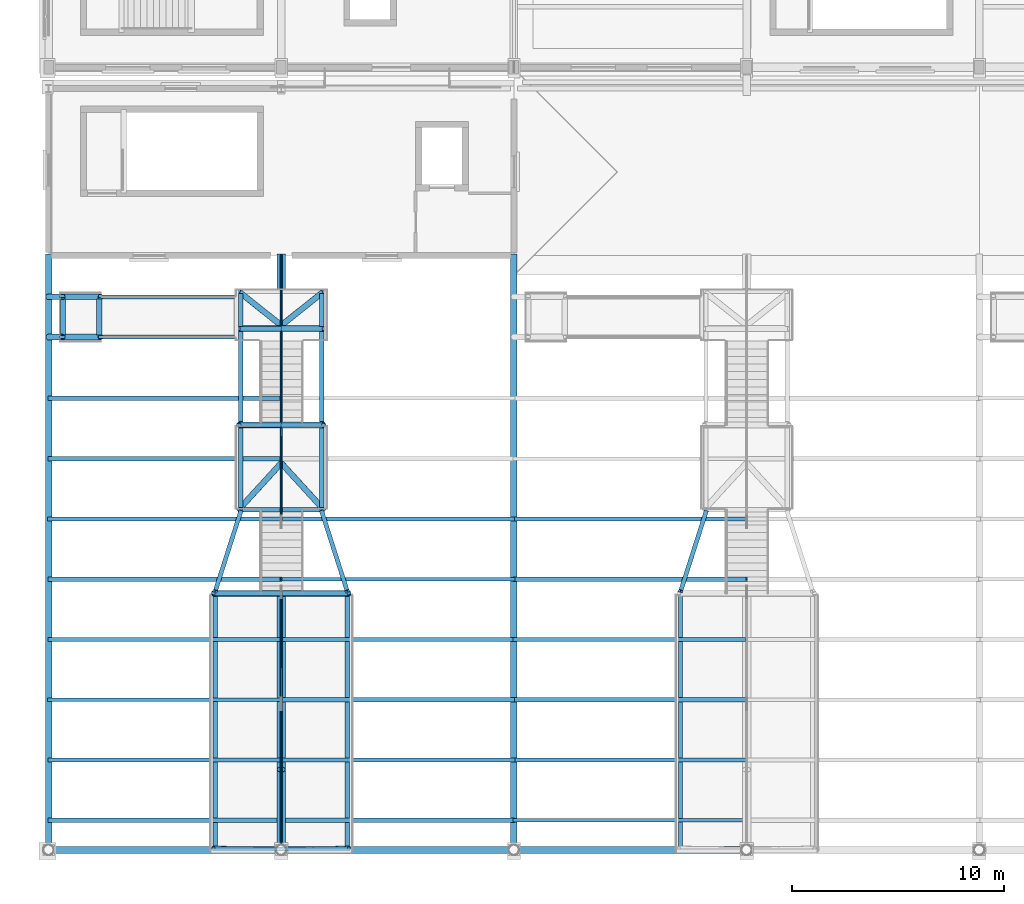
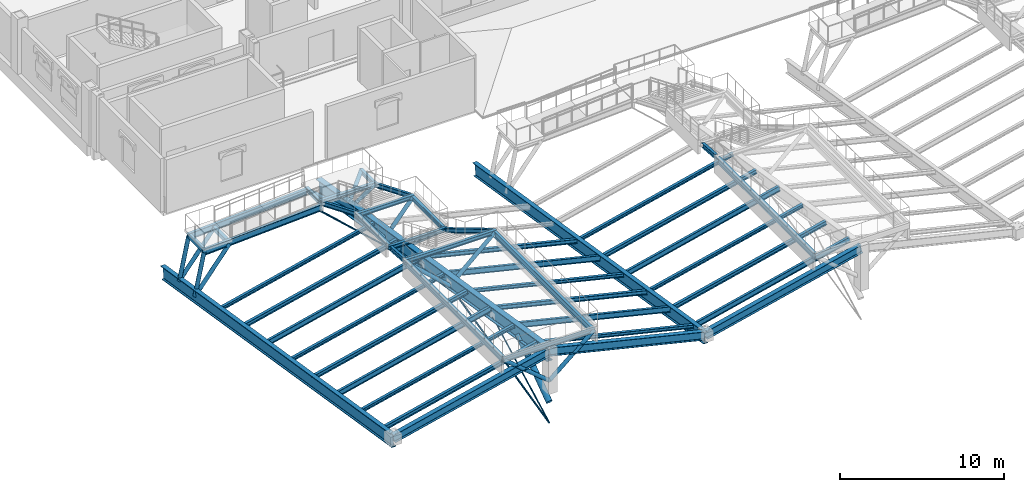
# One storey, part 9 of 43: 40 members, 27 beams.
"""IFC4 building model written with IfcOpenShell, lengths in metres."""

from ifc_helpers import new_model, si_unit, direction, frame, origin, origin_2d, place, context, subcontext, project, spatial, rectangle, circle, hollow_circle, i_section, extrude, material, material_profile, profile_set, type_object, element, save


model = new_model("IFC4")

# Units and contexts
model_context = context("Model", 3, precision=1e-05, world=origin(), true_north=direction((0.0, 1.0)))
body_context = subcontext(model_context, "Body", "Model", "MODEL_VIEW")
ifc_project = project(units=[si_unit("LENGTHUNIT", "METRE"), si_unit("AREAUNIT", "SQUARE_METRE"), si_unit("VOLUMEUNIT", "CUBIC_METRE"), si_unit("PLANEANGLEUNIT", "RADIAN"), si_unit("MASSUNIT", "GRAM", prefix="KILO")], contexts=[model_context])

# Site, building, storey
site_placement = place(None, origin())
site = spatial("IfcSite", under=ifc_project, at=site_placement, CompositionType="ELEMENT")
building_placement = place(site_placement, origin())
building = spatial("IfcBuilding", under=site, at=building_placement, Name="Caurita Quay Ferry Terminal", CompositionType="ELEMENT")
storey_placement = place(building_placement, frame((0.0, 0.0, 14.10009765625)))
storey = spatial("IfcBuildingStorey", under=building, at=storey_placement, Name="L03", CompositionType="ELEMENT", Elevation=14.10009765625)

# Beams
ifc_material_1 = material(Name="Structural steel ASTM A992 Gr. 50", Category="steel")
ifc_material_profile_1 = material_profile(ifc_material_1, i_section(OverallWidth=0.193115234375, OverallDepth=0.46728515625, WebThickness=0.011474609375, FlangeThickness=0.01904296875, FilletRadius=0.0126953125, at=origin_2d()), Name="W18X65")
ifc_profile_set_1 = profile_set([ifc_material_profile_1], Name="Structural steel ASTM A992 Gr. 50")
beam_type_1 = type_object("IfcBeamType", Name="BM-GR-W18A", PredefinedType="BEAM", material=ifc_profile_set_1)
for number, where, z_axis, x_axis, name in (
    (1, (7.8798828125, 46.627685546875, 3.26611328125), (0.0, -1.0, 0.0), (1.0, 0.0, 0.0), "Folded Roof Bay 1 Lookout Edge Beam 09"),
    (2, (14.1201171875, 46.627685546875, 3.26611328125), (0.0, -1.0, 0.0), (1.0, 0.0, 0.0), "Folded Roof Bay 1 Lookout Edge Beam 10"),
):
    element("IfcBeam", number, at=place(storey_placement, frame(where, z_axis=z_axis, x_axis=x_axis)), inside=storey, type_object=beam_type_1, Name=name, PredefinedType="BEAM", context=body_context, shape_type="SweptSolid", body=[
        extrude(i_section(OverallWidth=0.193115234375, OverallDepth=0.46728515625, WebThickness=0.011474609375, FlangeThickness=0.01904296875, FilletRadius=0.0126953125, at=origin_2d()), origin(), (0.0, 0.0, 1.0), 11.87548828125),
    ])
for number, where, z_axis, x_axis, name in (
    (3, (0.550048828125, 58.85009765625, -0.78369140625), (0.998577828833, 0.0, 0.053313410734), (0.0, 1.0, 0.0), "Folded Roof Bay 1 Ramp Underside Stringer S"),
    (4, (0.550048828125, 60.75, -0.78369140625), (0.998577828833, 0.0, 0.053313410734), (0.0, 1.0, 0.0), "Folded Roof Bay 1 Ramp Underside Stringer N"),
):
    element("IfcBeam", number, at=place(storey_placement, frame(where, z_axis=z_axis, x_axis=x_axis)), inside=storey, type_object=beam_type_1, Name=name, PredefinedType="BEAM", context=body_context, shape_type="SweptSolid", body=[
        extrude(i_section(OverallWidth=0.193115234375, OverallDepth=0.46728515625, WebThickness=0.011474609375, FlangeThickness=0.01904296875, FilletRadius=0.0126953125, at=origin_2d()), origin(), (0.0, 0.0, 1.0), 8.439697265625),
    ])
beam_1_placement = place(storey_placement, frame((29.8798828125, 46.627685546875, 3.26611328125), z_axis=(0.0, -1.0, 0.0), x_axis=(1.0, 0.0, 0.0)))
element("IfcBeam", 5, at=beam_1_placement, inside=storey, type_object=beam_type_1, Name="Folded Roof Bay 2 Lookout Edge Beam 09", PredefinedType="BEAM", context=body_context, shape_type="SweptSolid", body=[
    extrude(i_section(OverallWidth=0.193115234375, OverallDepth=0.46728515625, WebThickness=0.011474609375, FlangeThickness=0.01904296875, FilletRadius=0.0126953125, at=origin_2d()), origin(), (0.0, 0.0, 1.0), 11.87548828125),
])
ifc_material_profile_2 = material_profile(ifc_material_1, i_section(OverallWidth=0.3251953125, OverallDepth=0.612060546875, WebThickness=0.0126953125, FlangeThickness=0.01904296875, FilletRadius=0.01513671875, at=origin_2d()), Name="W24X104")
ifc_profile_set_2 = profile_set([ifc_material_profile_2], Name="Structural steel ASTM A992 Gr. 50")
beam_type_2 = type_object("IfcBeamType", Name="BM-GR-W24A", PredefinedType="BEAM", material=ifc_profile_set_2)
for number, where, z_axis, x_axis, name in (
    (6, (0.0, 34.60009765625, 0.265869140625), (0.972384559308, 0.0, 0.23338437998), (0.0, 1.0, 0.0), "Folded Roof Gable Ring Girder V1-S-0"),
    (7, (11.0, 34.60009765625, 2.906005859375), (0.972384559308, 0.0, -0.23338437998), (0.0, 1.0, 0.0), "Folded Roof Gable Ring Girder V1-S-11"),
    (8, (22.0, 34.60009765625, 0.265869140625), (0.972384559308, 0.0, 0.23338437998), (0.0, 1.0, 0.0), "Folded Roof Gable Ring Girder V1-S-22"),
):
    element("IfcBeam", number, at=place(storey_placement, frame(where, z_axis=z_axis, x_axis=x_axis)), inside=storey, type_object=beam_type_2, Name=name, PredefinedType="BEAM", context=body_context, shape_type="SweptSolid", body=[
        extrude(i_section(OverallWidth=0.3251953125, OverallDepth=0.612060546875, WebThickness=0.0126953125, FlangeThickness=0.01904296875, FilletRadius=0.01513671875, at=origin_2d()), origin(), (0.0, 0.0, 1.0), 11.3125),
    ])
ifc_material_profile_3 = material_profile(ifc_material_1, i_section(OverallWidth=0.310302734375, OverallDepth=0.949951171875, WebThickness=0.0244140625, FlangeThickness=0.0439453125, FilletRadius=0.024169921875, at=origin_2d()), Name="W36X256")
ifc_profile_set_3 = profile_set([ifc_material_profile_3], Name="Structural steel ASTM A992 Gr. 50")
beam_type_3 = type_object("IfcBeamType", Name="BM-RF-W36A", PredefinedType="BEAM", material=ifc_profile_set_3)
beam_2_placement = place(storey_placement, frame((0.0, 62.699951171875, -4.39599609375), z_axis=(0.0, -0.98744132788, 0.157986151272), x_axis=(1.0, 0.0, 0.0)))
element("IfcBeam", 9, at=beam_2_placement, inside=storey, type_object=beam_type_3, Name="Folded Roof Valley Girder V1-01", PredefinedType="BEAM", context=body_context, shape_type="SweptSolid", body=[
    extrude(i_section(OverallWidth=0.310302734375, OverallDepth=0.949951171875, WebThickness=0.0244140625, FlangeThickness=0.0439453125, FilletRadius=0.024169921875, at=origin_2d()), origin(), (0.0, 0.0, 1.0), 28.457275390625),
])
ifc_material_profile_4 = material_profile(ifc_material_1, i_section(OverallWidth=0.309326171875, OverallDepth=0.93212890625, WebThickness=0.02099609375, FlangeThickness=0.034423828125, FilletRadius=0.024169921875, at=origin_2d()), Name="W36X210")
ifc_profile_set_4 = profile_set([ifc_material_profile_4], Name="Structural steel ASTM A992 Gr. 50")
beam_type_4 = type_object("IfcBeamType", Name="BM-RF-W36B", PredefinedType="BEAM", material=ifc_profile_set_4)
beam_3_placement = place(storey_placement, frame((22.0, 62.699951171875, -4.38720703125), z_axis=(0.0, -0.987439989472, 0.157994516331), x_axis=(1.0, 0.0, 0.0)))
element("IfcBeam", 10, at=beam_3_placement, inside=storey, type_object=beam_type_4, Name="Folded Roof Valley Girder V1-03", PredefinedType="BEAM", context=body_context, shape_type="SweptSolid", body=[
    extrude(i_section(OverallWidth=0.309326171875, OverallDepth=0.93212890625, WebThickness=0.02099609375, FlangeThickness=0.034423828125, FilletRadius=0.024169921875, at=origin_2d()), origin(), (0.0, 0.0, 1.0), 28.457275390625),
])
ifc_material_profile_5 = material_profile(ifc_material_1, i_section(OverallWidth=0.40380859375, OverallDepth=1.02099609375, WebThickness=0.025390625, FlangeThickness=0.047119140625, FilletRadius=0.025390625, at=origin_2d()), Name="W40X324")
ifc_profile_set_5 = profile_set([ifc_material_profile_5], Name="Structural steel ASTM A992 Gr. 50")
beam_type_5 = type_object("IfcBeamType", Name="BM-RF-W40A", PredefinedType="BEAM", material=ifc_profile_set_5)
beam_4_placement = place(storey_placement, frame((11.0, 62.699951171875, -1.7919921875), z_axis=(0.0, -0.98744132788, 0.157986151272), x_axis=(1.0, 0.0, 0.0)))
element("IfcBeam", 11, at=beam_4_placement, inside=storey, type_object=beam_type_5, Name="Folded Roof Ridge Girder V1-02", PredefinedType="BEAM", context=body_context, shape_type="SweptSolid", body=[
    extrude(i_section(OverallWidth=0.40380859375, OverallDepth=1.02099609375, WebThickness=0.025390625, FlangeThickness=0.047119140625, FilletRadius=0.025390625, at=origin_2d()), origin(), (0.0, 0.0, 1.0), 28.457275390625),
])
ifc_material_profile_6 = material_profile(ifc_material_1, i_section(OverallWidth=0.20458984375, OverallDepth=0.307373046875, WebThickness=0.008544921875, FlangeThickness=0.0146484375, FilletRadius=0.0126953125, at=origin_2d()), Name="W12X45")
ifc_profile_set_6 = profile_set([ifc_material_profile_6], Name="Structural steel ASTM A992 Gr. 50")
beam_type_6 = type_object("IfcBeamType", Name="BM-TRM-W12", PredefinedType="BEAM", material=ifc_profile_set_6)
for number, where, z_axis, x_axis, name in (
    (12, (8.949951171875, 59.25, -0.25390625), (1.0, 0.0, 0.0), (0.0, 1.0, 0.0), "Folded Roof Bay 1 Stair Trimmer Beam 2"),
    (13, (8.949951171875, 54.68994140625, 1.546142578125), (1.0, 0.0, 0.0), (0.0, 1.0, 0.0), "Folded Roof Bay 1 Stair Trimmer Beam 3"),
    (14, (8.949951171875, 50.68994140625, 1.546142578125), (1.0, 0.0, 0.0), (0.0, 1.0, 0.0), "Folded Roof Bay 1 Stair Trimmer Beam 4"),
):
    element("IfcBeam", number, at=place(storey_placement, frame(where, z_axis=z_axis, x_axis=x_axis)), inside=storey, type_object=beam_type_6, Name=name, PredefinedType="BEAM", context=body_context, shape_type="SweptSolid", body=[
        extrude(i_section(OverallWidth=0.20458984375, OverallDepth=0.307373046875, WebThickness=0.008544921875, FlangeThickness=0.0146484375, FilletRadius=0.0126953125, at=origin_2d()), origin(), (0.0, 0.0, 1.0), 4.10009765625),
    ])
for number, where, z_axis, x_axis, name in (
    (15, (7.75, 46.72998046875, 3.34619140625), (1.0, 0.0, 0.0), (0.0, 1.0, 0.0), "Folded Roof Bay 1 Stair Trimmer Beam 5"),
    (16, (7.75, 34.64990234375, 3.34619140625), (1.0, 0.0, 0.0), (0.0, 1.0, 0.0), "Folded Roof Bay 1 Stair Trimmer Beam 6"),
):
    element("IfcBeam", number, at=place(storey_placement, frame(where, z_axis=z_axis, x_axis=x_axis)), inside=storey, type_object=beam_type_6, Name=name, PredefinedType="BEAM", context=body_context, shape_type="SweptSolid", body=[
        extrude(i_section(OverallWidth=0.20458984375, OverallDepth=0.307373046875, WebThickness=0.008544921875, FlangeThickness=0.0146484375, FilletRadius=0.0126953125, at=origin_2d()), origin(), (0.0, 0.0, 1.0), 6.5),
    ])
for number, where, z_axis, x_axis, name in (
    (17, (9.080078125, 60.897705078125, -0.25390625), (0.0, -1.0, 0.0), (1.0, 0.0, 0.0), "Folded Roof Bay 1 Lookout Edge Beam 01"),
    (18, (12.919921875, 60.897705078125, -0.25390625), (0.0, -1.0, 0.0), (1.0, 0.0, 0.0), "Folded Roof Bay 1 Lookout Edge Beam 02"),
):
    element("IfcBeam", number, at=place(storey_placement, frame(where, z_axis=z_axis, x_axis=x_axis)), inside=storey, type_object=beam_type_6, Name=name, PredefinedType="BEAM", context=body_context, shape_type="SweptSolid", body=[
        extrude(i_section(OverallWidth=0.20458984375, OverallDepth=0.307373046875, WebThickness=0.008544921875, FlangeThickness=0.0146484375, FilletRadius=0.0126953125, at=origin_2d()), origin(), (0.0, 0.0, 1.0), 1.54541015625),
    ])
for number, where, z_axis, x_axis, name in (
    (19, (9.080078125, 59.147705078125, -0.25390625), (0.0, -0.924182728414, 0.381950630975), (1.0, 0.0, 0.0), "Folded Roof Bay 1 Lookout Edge Beam 03"),
    (20, (12.919921875, 59.147705078125, -0.25390625), (0.0, -0.924182728414, 0.381950630975), (1.0, 0.0, 0.0), "Folded Roof Bay 1 Lookout Edge Beam 04"),
):
    element("IfcBeam", number, at=place(storey_placement, frame(where, z_axis=z_axis, x_axis=x_axis)), inside=storey, type_object=beam_type_6, Name=name, PredefinedType="BEAM", context=body_context, shape_type="SweptSolid", body=[
        extrude(i_section(OverallWidth=0.20458984375, OverallDepth=0.307373046875, WebThickness=0.008544921875, FlangeThickness=0.0146484375, FilletRadius=0.0126953125, at=origin_2d()), origin(), (0.0, 0.0, 1.0), 4.712890625),
    ])
for number, where, z_axis, x_axis, name in (
    (21, (9.080078125, 54.587890625, 1.546142578125), (0.0, -1.0, 0.0), (1.0, 0.0, 0.0), "Folded Roof Bay 1 Lookout Edge Beam 05"),
    (22, (12.919921875, 54.587890625, 1.546142578125), (0.0, -1.0, 0.0), (1.0, 0.0, 0.0), "Folded Roof Bay 1 Lookout Edge Beam 06"),
):
    element("IfcBeam", number, at=place(storey_placement, frame(where, z_axis=z_axis, x_axis=x_axis)), inside=storey, type_object=beam_type_6, Name=name, PredefinedType="BEAM", context=body_context, shape_type="SweptSolid", body=[
        extrude(i_section(OverallWidth=0.20458984375, OverallDepth=0.307373046875, WebThickness=0.008544921875, FlangeThickness=0.0146484375, FilletRadius=0.0126953125, at=origin_2d()), origin(), (0.0, 0.0, 1.0), 3.795654296875),
    ])
for number, where, z_axis, x_axis, name in (
    (23, (9.080078125, 50.587890625, 1.546142578125), (-0.276912761175, -0.866507120658, 0.415312812885), (0.952541987839, -0.304407229553, 0.0), "Folded Roof Bay 1 Lookout Edge Beam 07"),
    (24, (12.919921875, 50.587890625, 1.546142578125), (0.276912761175, -0.866507120658, 0.415312812885), (0.952541987839, 0.304407229553, 0.0), "Folded Roof Bay 1 Lookout Edge Beam 08"),
    (25, (31.080078125, 50.587890625, 1.546142578125), (-0.276912761175, -0.866507120658, 0.415312812885), (0.952541987839, -0.304407229553, 0.0), "Folded Roof Bay 2 Lookout Edge Beam 07"),
):
    element("IfcBeam", number, at=place(storey_placement, frame(where, z_axis=z_axis, x_axis=x_axis)), inside=storey, type_object=beam_type_6, Name=name, PredefinedType="BEAM", context=body_context, shape_type="SweptSolid", body=[
        extrude(i_section(OverallWidth=0.20458984375, OverallDepth=0.307373046875, WebThickness=0.008544921875, FlangeThickness=0.0146484375, FilletRadius=0.0126953125, at=origin_2d()), origin(), (0.0, 0.0, 1.0), 4.334228515625),
    ])
ifc_material_2 = material(Name="Reinforced concrete C35/45", Category="concrete")
ifc_material_profile_7 = material_profile(ifc_material_2, rectangle(XDim=0.25, YDim=0.300048828125, at=origin_2d()), Name="RC-LN-250X300")
ifc_profile_set_7 = profile_set([ifc_material_profile_7], Name="Reinforced concrete C35/45")
beam_type_7 = type_object("IfcBeamType", Name="LN-RC-2530", PredefinedType="LINTEL", material=ifc_profile_set_7)
for number, where, z_axis, x_axis, name in (
    (26, (0.679931640625, 58.946533203125, -0.7001953125), (0.0, 1.0, 0.0), (-1.0, 0.0, 0.0), "Folded Roof Bay 1 Ramp Pad Transverse Beam 1"),
    (27, (2.39990234375, 58.946533203125, -0.7001953125), (0.0, 1.0, 0.0), (-1.0, 0.0, 0.0), "Folded Roof Bay 1 Ramp Pad Transverse Beam 2"),
):
    element("IfcBeam", number, at=place(storey_placement, frame(where, z_axis=z_axis, x_axis=x_axis)), inside=storey, type_object=beam_type_7, Name=name, PredefinedType="LINTEL", context=body_context, shape_type="SweptSolid", body=[
        extrude(rectangle(XDim=0.25, YDim=0.300048828125, at=origin_2d()), origin(), (0.0, 0.0, 1.0), 1.70703125),
    ])

# Members
ifc_material_3 = material(Name="Structural stay cable steel ASTM A586", Category="steel")
ifc_material_profile_8 = material_profile(ifc_material_3, circle(Radius=0.031982421875, at=origin_2d()), Name="CABLE-D64")
ifc_profile_set_8 = profile_set([ifc_material_profile_8], Name="Structural stay cable steel ASTM A586")
member_type_1 = type_object("IfcMemberType", Name="MEM-CBL-64", PredefinedType="USERDEFINED", material=ifc_profile_set_8)
member_1_placement = place(storey_placement, frame((11.0, 34.60009765625, -2.4501953125), z_axis=(0.0, 0.881276847581, 0.472600378669), x_axis=(-1.0, 0.0, 0.0)))
element("IfcMember", 28, at=member_1_placement, inside=storey, type_object=member_type_1, Name="Folded Roof Stay Cable V1-02-S1", ObjectType="STAY CABLE", PredefinedType="USERDEFINED", context=body_context, shape_type="SweptSolid", body=[
    extrude(circle(Radius=0.031982421875, at=origin_2d()), origin(), (0.0, 0.0, 1.0), 7.829345703125),
])
ifc_material_profile_9 = material_profile(ifc_material_3, circle(Radius=0.044921875, at=origin_2d()), Name="CABLE-D90")
ifc_profile_set_9 = profile_set([ifc_material_profile_9], Name="Structural stay cable steel ASTM A586")
member_type_2 = type_object("IfcMemberType", Name="MEM-CBL-90", PredefinedType="USERDEFINED", material=ifc_profile_set_9)
member_2_placement = place(storey_placement, frame((11.0, 34.60009765625, -2.4501953125), z_axis=(0.0, 0.973745828485, 0.22763800541), x_axis=(-1.0, 0.0, 0.0)))
element("IfcMember", 29, at=member_2_placement, inside=storey, type_object=member_type_2, Name="Folded Roof Stay Cable V1-02-S2", ObjectType="STAY CABLE", PredefinedType="USERDEFINED", context=body_context, shape_type="SweptSolid", body=[
    extrude(circle(Radius=0.044921875, at=origin_2d()), origin(), (0.0, 0.0, 1.0), 12.52880859375),
])
member_3_placement = place(storey_placement, frame((11.0, 62.699951171875, -3.650146484375), z_axis=(0.0, -0.963039177166, 0.269361361824), x_axis=(1.0, 0.0, 0.0)))
element("IfcMember", 30, at=member_3_placement, inside=storey, type_object=member_type_2, Name="Folded Roof Stay Cable V1-02-N2", ObjectType="STAY CABLE", PredefinedType="USERDEFINED", context=body_context, shape_type="SweptSolid", body=[
    extrude(circle(Radius=0.044921875, at=origin_2d()), origin(), (0.0, 0.0, 1.0), 13.08349609375),
])
ifc_material_profile_10 = material_profile(ifc_material_1, i_section(OverallWidth=0.2021484375, OverallDepth=0.246337890625, WebThickness=0.00732421875, FlangeThickness=0.010986328125, FilletRadius=0.01025390625, at=origin_2d()), Name="W10X33")
ifc_profile_set_10 = profile_set([ifc_material_profile_10], Name="Structural steel ASTM A992 Gr. 50")
member_type_3 = type_object("IfcMemberType", Name="MEM-PUR-10", PredefinedType="PURLIN", material=ifc_profile_set_10)
member_4_placement = place(storey_placement, frame((0.0, 38.85009765625, -0.384033203125), z_axis=(0.972389456854, 0.0, 0.233363973654), x_axis=(0.0, 1.0, 0.0)))
element("IfcMember", 31, at=member_4_placement, inside=storey, type_object=member_type_3, Name="Folded Roof Purlin PUR-002", PredefinedType="PURLIN", context=body_context, shape_type="SweptSolid", body=[
    extrude(i_section(OverallWidth=0.2021484375, OverallDepth=0.246337890625, WebThickness=0.00732421875, FlangeThickness=0.010986328125, FilletRadius=0.01025390625, at=origin_2d()), origin(), (0.0, 0.0, 1.0), 11.312255859375),
])
for number, where, z_axis, x_axis, name in (
    (32, (0.0, 47.39990234375, -1.752197265625), (0.972384559308, 0.0, 0.23338437998), (0.0, 1.0, 0.0), "Folded Roof Purlin PUR-005"),
    (33, (0.0, 55.949951171875, -3.1201171875), (0.972384559308, 0.0, 0.23338437998), (0.0, 1.0, 0.0), "Folded Roof Purlin PUR-008"),
):
    element("IfcMember", number, at=place(storey_placement, frame(where, z_axis=z_axis, x_axis=x_axis)), inside=storey, type_object=member_type_3, Name=name, PredefinedType="PURLIN", context=body_context, shape_type="SweptSolid", body=[
        extrude(i_section(OverallWidth=0.2021484375, OverallDepth=0.246337890625, WebThickness=0.00732421875, FlangeThickness=0.010986328125, FilletRadius=0.01025390625, at=origin_2d()), origin(), (0.0, 0.0, 1.0), 11.3125),
    ])
member_5_placement = place(storey_placement, frame((11.0, 36.0, 2.7119140625), z_axis=(0.972389456854, 0.0, -0.233363973654), x_axis=(0.0, 1.0, 0.0)))
element("IfcMember", 34, at=member_5_placement, inside=storey, type_object=member_type_3, Name="Folded Roof Purlin PUR-011", PredefinedType="PURLIN", context=body_context, shape_type="SweptSolid", body=[
    extrude(i_section(OverallWidth=0.2021484375, OverallDepth=0.246337890625, WebThickness=0.00732421875, FlangeThickness=0.010986328125, FilletRadius=0.01025390625, at=origin_2d()), origin(), (0.0, 0.0, 1.0), 11.312255859375),
])
member_6_placement = place(storey_placement, frame((11.0, 44.550048828125, 1.343994140625), z_axis=(0.972384559308, 0.0, -0.23338437998), x_axis=(0.0, 1.0, 0.0)))
element("IfcMember", 35, at=member_6_placement, inside=storey, type_object=member_type_3, Name="Folded Roof Purlin PUR-014", PredefinedType="PURLIN", context=body_context, shape_type="SweptSolid", body=[
    extrude(i_section(OverallWidth=0.2021484375, OverallDepth=0.246337890625, WebThickness=0.00732421875, FlangeThickness=0.010986328125, FilletRadius=0.01025390625, at=origin_2d()), origin(), (0.0, 0.0, 1.0), 11.3125),
])
for number, where, z_axis, x_axis, name in (
    (36, (22.0, 41.699951171875, -0.840087890625), (0.972389456854, 0.0, 0.233363973654), (0.0, 1.0, 0.0), "Folded Roof Purlin PUR-023"),
    (37, (22.0, 50.25, -2.2080078125), (0.972389456854, 0.0, 0.233363973654), (0.0, 1.0, 0.0), "Folded Roof Purlin PUR-026"),
):
    element("IfcMember", number, at=place(storey_placement, frame(where, z_axis=z_axis, x_axis=x_axis)), inside=storey, type_object=member_type_3, Name=name, PredefinedType="PURLIN", context=body_context, shape_type="SweptSolid", body=[
        extrude(i_section(OverallWidth=0.2021484375, OverallDepth=0.246337890625, WebThickness=0.00732421875, FlangeThickness=0.010986328125, FilletRadius=0.01025390625, at=origin_2d()), origin(), (0.0, 0.0, 1.0), 11.312255859375),
    ])
ifc_material_profile_11 = material_profile(ifc_material_1, i_section(OverallWidth=0.20458984375, OverallDepth=0.307373046875, WebThickness=0.008544921875, FlangeThickness=0.0146484375, FilletRadius=0.0126953125, at=origin_2d()), Name="W12X45")
ifc_profile_set_11 = profile_set([ifc_material_profile_11], Name="Structural steel ASTM A992 Gr. 50")
member_type_4 = type_object("IfcMemberType", Name="MEM-PUR-12", PredefinedType="PURLIN", material=ifc_profile_set_11)
member_7_placement = place(storey_placement, frame((0.0, 36.0, 0.072021484375), z_axis=(0.972389456854, 0.0, 0.233363973654), x_axis=(0.0, 1.0, 0.0)))
element("IfcMember", 38, at=member_7_placement, inside=storey, type_object=member_type_4, Name="Folded Roof Purlin PUR-001", PredefinedType="PURLIN", context=body_context, shape_type="SweptSolid", body=[
    extrude(i_section(OverallWidth=0.20458984375, OverallDepth=0.307373046875, WebThickness=0.008544921875, FlangeThickness=0.0146484375, FilletRadius=0.0126953125, at=origin_2d()), origin(), (0.0, 0.0, 1.0), 11.312255859375),
])
member_8_placement = place(storey_placement, frame((0.0, 44.550048828125, -1.296142578125), z_axis=(0.972384559308, 0.0, 0.23338437998), x_axis=(0.0, 1.0, 0.0)))
element("IfcMember", 39, at=member_8_placement, inside=storey, type_object=member_type_4, Name="Folded Roof Purlin PUR-004", PredefinedType="PURLIN", context=body_context, shape_type="SweptSolid", body=[
    extrude(i_section(OverallWidth=0.20458984375, OverallDepth=0.307373046875, WebThickness=0.008544921875, FlangeThickness=0.0146484375, FilletRadius=0.0126953125, at=origin_2d()), origin(), (0.0, 0.0, 1.0), 11.3125),
])
for number, where, z_axis, x_axis, name in (
    (40, (0.0, 53.10009765625, -2.6640625), (0.972389456854, 0.0, 0.233363973654), (0.0, 1.0, 0.0), "Folded Roof Purlin PUR-007"),
    (41, (11.0, 41.699951171875, 1.7998046875), (0.972389456854, 0.0, -0.233363973654), (0.0, 1.0, 0.0), "Folded Roof Purlin PUR-013"),
    (42, (11.0, 50.25, 0.431884765625), (0.972389456854, 0.0, -0.233363973654), (0.0, 1.0, 0.0), "Folded Roof Purlin PUR-016"),
    (43, (22.0, 38.85009765625, -0.384033203125), (0.972389456854, 0.0, 0.233363973654), (0.0, 1.0, 0.0), "Folded Roof Purlin PUR-022"),
):
    element("IfcMember", number, at=place(storey_placement, frame(where, z_axis=z_axis, x_axis=x_axis)), inside=storey, type_object=member_type_4, Name=name, PredefinedType="PURLIN", context=body_context, shape_type="SweptSolid", body=[
        extrude(i_section(OverallWidth=0.20458984375, OverallDepth=0.307373046875, WebThickness=0.008544921875, FlangeThickness=0.0146484375, FilletRadius=0.0126953125, at=origin_2d()), origin(), (0.0, 0.0, 1.0), 11.312255859375),
    ])
member_9_placement = place(storey_placement, frame((22.0, 47.39990234375, -1.752197265625), z_axis=(0.972384559308, 0.0, 0.23338437998), x_axis=(0.0, 1.0, 0.0)))
element("IfcMember", 44, at=member_9_placement, inside=storey, type_object=member_type_4, Name="Folded Roof Purlin PUR-025", PredefinedType="PURLIN", context=body_context, shape_type="SweptSolid", body=[
    extrude(i_section(OverallWidth=0.20458984375, OverallDepth=0.307373046875, WebThickness=0.008544921875, FlangeThickness=0.0146484375, FilletRadius=0.0126953125, at=origin_2d()), origin(), (0.0, 0.0, 1.0), 11.3125),
])
ifc_material_profile_12 = material_profile(ifc_material_1, i_section(OverallWidth=0.177734375, OverallDepth=0.40380859375, WebThickness=0.007568359375, FlangeThickness=0.010986328125, FilletRadius=0.011474609375, at=origin_2d()), Name="W16X36")
ifc_profile_set_12 = profile_set([ifc_material_profile_12], Name="Structural steel ASTM A992 Gr. 50")
member_type_5 = type_object("IfcMemberType", Name="MEM-PUR-16", PredefinedType="PURLIN", material=ifc_profile_set_12)
for number, where, z_axis, x_axis, name in (
    (45, (0.0, 41.699951171875, -0.840087890625), (0.972389456854, 0.0, 0.233363973654), (0.0, 1.0, 0.0), "Folded Roof Purlin PUR-003"),
    (46, (0.0, 50.25, -2.2080078125), (0.972389456854, 0.0, 0.233363973654), (0.0, 1.0, 0.0), "Folded Roof Purlin PUR-006"),
    (47, (11.0, 38.85009765625, 2.255859375), (0.972389456854, 0.0, -0.233363973654), (0.0, 1.0, 0.0), "Folded Roof Purlin PUR-012"),
):
    element("IfcMember", number, at=place(storey_placement, frame(where, z_axis=z_axis, x_axis=x_axis)), inside=storey, type_object=member_type_5, Name=name, PredefinedType="PURLIN", context=body_context, shape_type="SweptSolid", body=[
        extrude(i_section(OverallWidth=0.177734375, OverallDepth=0.40380859375, WebThickness=0.007568359375, FlangeThickness=0.010986328125, FilletRadius=0.011474609375, at=origin_2d()), origin(), (0.0, 0.0, 1.0), 11.312255859375),
    ])
member_10_placement = place(storey_placement, frame((11.0, 47.39990234375, 0.887939453125), z_axis=(0.972384559308, 0.0, -0.23338437998), x_axis=(0.0, 1.0, 0.0)))
element("IfcMember", 48, at=member_10_placement, inside=storey, type_object=member_type_5, Name="Folded Roof Purlin PUR-015", PredefinedType="PURLIN", context=body_context, shape_type="SweptSolid", body=[
    extrude(i_section(OverallWidth=0.177734375, OverallDepth=0.40380859375, WebThickness=0.007568359375, FlangeThickness=0.010986328125, FilletRadius=0.011474609375, at=origin_2d()), origin(), (0.0, 0.0, 1.0), 11.3125),
])
member_11_placement = place(storey_placement, frame((22.0, 36.0, 0.072021484375), z_axis=(0.972389456854, 0.0, 0.233363973654), x_axis=(0.0, 1.0, 0.0)))
element("IfcMember", 49, at=member_11_placement, inside=storey, type_object=member_type_5, Name="Folded Roof Purlin PUR-021", PredefinedType="PURLIN", context=body_context, shape_type="SweptSolid", body=[
    extrude(i_section(OverallWidth=0.177734375, OverallDepth=0.40380859375, WebThickness=0.007568359375, FlangeThickness=0.010986328125, FilletRadius=0.011474609375, at=origin_2d()), origin(), (0.0, 0.0, 1.0), 11.312255859375),
])
member_12_placement = place(storey_placement, frame((22.0, 44.550048828125, -1.296142578125), z_axis=(0.972384559308, 0.0, 0.23338437998), x_axis=(0.0, 1.0, 0.0)))
element("IfcMember", 50, at=member_12_placement, inside=storey, type_object=member_type_5, Name="Folded Roof Purlin PUR-024", PredefinedType="PURLIN", context=body_context, shape_type="SweptSolid", body=[
    extrude(i_section(OverallWidth=0.177734375, OverallDepth=0.40380859375, WebThickness=0.007568359375, FlangeThickness=0.010986328125, FilletRadius=0.011474609375, at=origin_2d()), origin(), (0.0, 0.0, 1.0), 11.3125),
])
ifc_material_4 = material(Name="Hollow structural steel ASTM A500 Gr. C", Category="steel")
ifc_material_profile_13 = material_profile(ifc_material_4, hollow_circle(Radius=0.136474609375, WallThickness=0.008544921875, at=origin_2d()), Name="HSS10.750X0.365")
ifc_profile_set_13 = profile_set([ifc_material_profile_13], Name="Hollow structural steel ASTM A500 Gr. C")
member_type_6 = type_object("IfcMemberType", Name="MEM-STR-10", PredefinedType="STRUT", material=ifc_profile_set_13)
for number, where, z_axis, x_axis, name in (
    (51, (11.0, 59.39990234375, -1.612060546875), (-0.691667618679, 0.550612118648, 0.467356609099), (-0.622815852586, -0.782368464196, 0.0), "Folded Roof Bay 1 Lookout Bent Strut 1W"),
    (52, (11.0, 59.39990234375, -1.612060546875), (0.691667618679, 0.550612118648, 0.467356609099), (-0.622815852586, 0.782368464196, 0.0), "Folded Roof Bay 1 Lookout Bent Strut 1E"),
):
    element("IfcMember", number, at=place(storey_placement, frame(where, z_axis=z_axis, x_axis=x_axis)), inside=storey, type_object=member_type_6, Name=name, PredefinedType="STRUT", context=body_context, shape_type="SweptSolid", body=[
        extrude(hollow_circle(Radius=0.136474609375, WallThickness=0.008544921875, at=origin_2d()), origin(), (0.0, 0.0, 1.0), 2.906005859375),
    ])
for number, where, z_axis, x_axis, name in (
    (53, (11.0, 59.25, -1.588134765625), (-0.833154023722, 0.0, 0.55304102267), (0.0, -1.0, 0.0), "Folded Roof Bay 1 Lookout Bent Strut 2W"),
    (54, (11.0, 59.25, -1.588134765625), (0.833154023722, 0.0, 0.55304102267), (0.0, 1.0, 0.0), "Folded Roof Bay 1 Lookout Bent Strut 2E"),
):
    element("IfcMember", number, at=place(storey_placement, frame(where, z_axis=z_axis, x_axis=x_axis)), inside=storey, type_object=member_type_6, Name=name, PredefinedType="STRUT", context=body_context, shape_type="SweptSolid", body=[
        extrude(hollow_circle(Radius=0.136474609375, WallThickness=0.008544921875, at=origin_2d()), origin(), (0.0, 0.0, 1.0), 2.41259765625),
    ])
for number, where, z_axis, x_axis, name in (
    (55, (11.0, 54.68994140625, -0.8583984375), (-0.641355995055, 0.0, 0.767243434385), (0.0, -1.0, 0.0), "Folded Roof Bay 1 Lookout Bent Strut 3W"),
    (56, (11.0, 54.68994140625, -0.8583984375), (0.641355995055, 0.0, 0.767243434385), (0.0, 1.0, 0.0), "Folded Roof Bay 1 Lookout Bent Strut 3E"),
):
    element("IfcMember", number, at=place(storey_placement, frame(where, z_axis=z_axis, x_axis=x_axis)), inside=storey, type_object=member_type_6, Name=name, PredefinedType="STRUT", context=body_context, shape_type="SweptSolid", body=[
        extrude(hollow_circle(Radius=0.136474609375, WallThickness=0.008544921875, at=origin_2d()), origin(), (0.0, 0.0, 1.0), 3.134033203125),
    ])
for number, where, z_axis, x_axis, name in (
    (57, (11.0, 52.889892578125, -0.570556640625), (-0.549907207935, -0.601872203414, 0.579095772234), (0.738258416995, -0.674517983256, 0.0), "Folded Roof Bay 1 Lookout Bent Strut 4W"),
    (58, (11.0, 52.889892578125, -0.570556640625), (0.549907207935, -0.601872203414, 0.579095772234), (0.738258416995, 0.674517983256, 0.0), "Folded Roof Bay 1 Lookout Bent Strut 4E"),
):
    element("IfcMember", number, at=place(storey_placement, frame(where, z_axis=z_axis, x_axis=x_axis)), inside=storey, type_object=member_type_6, Name=name, PredefinedType="STRUT", context=body_context, shape_type="SweptSolid", body=[
        extrude(hollow_circle(Radius=0.136474609375, WallThickness=0.008544921875, at=origin_2d()), origin(), (0.0, 0.0, 1.0), 3.6552734375),
    ])
for number, where, z_axis, x_axis, name in (
    (59, (11.0, 46.72998046875, 0.4150390625), (-0.738449014964, 0.0, 0.674309315003), (0.0, -1.0, 0.0), "Folded Roof Bay 1 Lookout Bent Strut 5W"),
    (60, (11.0, 46.72998046875, 0.4150390625), (0.738449014964, 0.0, 0.674309315003), (0.0, 1.0, 0.0), "Folded Roof Bay 1 Lookout Bent Strut 5E"),
):
    element("IfcMember", number, at=place(storey_placement, frame(where, z_axis=z_axis, x_axis=x_axis)), inside=storey, type_object=member_type_6, Name=name, PredefinedType="STRUT", context=body_context, shape_type="SweptSolid", body=[
        extrude(hollow_circle(Radius=0.136474609375, WallThickness=0.008544921875, at=origin_2d()), origin(), (0.0, 0.0, 1.0), 4.346923828125),
    ])
for number, where, z_axis, x_axis, name in (
    (61, (11.0, 34.60009765625, 0.699951171875), (-0.771551284147, 0.011971133402, 0.636054485006), (-0.01551380053, -0.999879653755, 0.0), "Folded Roof Bay 1 Lookout Bent Strut 6W"),
    (62, (11.0, 34.60009765625, 0.699951171875), (0.771551284147, 0.011971133402, 0.636054485006), (-0.01551380053, 0.999879653755, 0.0), "Folded Roof Bay 1 Lookout Bent Strut 6E"),
):
    element("IfcMember", number, at=place(storey_placement, frame(where, z_axis=z_axis, x_axis=x_axis)), inside=storey, type_object=member_type_6, Name=name, PredefinedType="STRUT", context=body_context, shape_type="SweptSolid", body=[
        extrude(hollow_circle(Radius=0.136474609375, WallThickness=0.008544921875, at=origin_2d()), origin(), (0.0, 0.0, 1.0), 4.160400390625),
    ])
member_13_placement = place(storey_placement, frame((0.0, 58.85009765625, -3.8662109375), z_axis=(0.206299496183, 0.0, 0.978488895121), x_axis=(0.0, 1.0, 0.0)))
element("IfcMember", 63, at=member_13_placement, inside=storey, type_object=member_type_6, Name="Folded Roof Bay 1 Ramp Pad Strut 1S", PredefinedType="STRUT", context=body_context, shape_type="SweptSolid", body=[
    extrude(hollow_circle(Radius=0.136474609375, WallThickness=0.008544921875, at=origin_2d()), origin(), (0.0, 0.0, 1.0), 3.150390625),
])
member_14_placement = place(storey_placement, frame((0.0, 58.85009765625, -3.8662109375), z_axis=(0.622204179783, 0.0, 0.782855004877), x_axis=(0.0, 1.0, 0.0)))
element("IfcMember", 64, at=member_14_placement, inside=storey, type_object=member_type_6, Name="Folded Roof Bay 1 Ramp Pad Strut 2S", PredefinedType="STRUT", context=body_context, shape_type="SweptSolid", body=[
    extrude(hollow_circle(Radius=0.136474609375, WallThickness=0.008544921875, at=origin_2d()), origin(), (0.0, 0.0, 1.0), 3.9375),
])
member_15_placement = place(storey_placement, frame((0.0, 60.75, -3.8662109375), z_axis=(0.206299496183, 0.0, 0.978488895121), x_axis=(0.0, 1.0, 0.0)))
element("IfcMember", 65, at=member_15_placement, inside=storey, type_object=member_type_6, Name="Folded Roof Bay 1 Ramp Pad Strut 1N", PredefinedType="STRUT", context=body_context, shape_type="SweptSolid", body=[
    extrude(hollow_circle(Radius=0.136474609375, WallThickness=0.008544921875, at=origin_2d()), origin(), (0.0, 0.0, 1.0), 3.150390625),
])
member_16_placement = place(storey_placement, frame((0.0, 60.75, -3.8662109375), z_axis=(0.622204179783, 0.0, 0.782855004877), x_axis=(0.0, 1.0, 0.0)))
element("IfcMember", 66, at=member_16_placement, inside=storey, type_object=member_type_6, Name="Folded Roof Bay 1 Ramp Pad Strut 2N", PredefinedType="STRUT", context=body_context, shape_type="SweptSolid", body=[
    extrude(hollow_circle(Radius=0.136474609375, WallThickness=0.008544921875, at=origin_2d()), origin(), (0.0, 0.0, 1.0), 3.9375),
])
ifc_material_profile_14 = material_profile(ifc_material_4, hollow_circle(Radius=0.203125, WallThickness=0.01171875, at=origin_2d()), Name="HSS16.000X0.500")
ifc_profile_set_14 = profile_set([ifc_material_profile_14], Name="Hollow structural steel ASTM A500 Gr. C")
member_type_7 = type_object("IfcMemberType", Name="MEM-STR-16", PredefinedType="STRUT", material=ifc_profile_set_14)
member_17_placement = place(storey_placement, frame((11.0, 34.60009765625, -0.900146484375), z_axis=(0.0, 0.810497929936, 0.585741500638), x_axis=(-1.0, 0.0, 0.0)))
element("IfcMember", 67, at=member_17_placement, inside=storey, type_object=member_type_7, Name="Mast Tree-Strut V1-02-S1", PredefinedType="STRUT", context=body_context, shape_type="SweptSolid", body=[
    extrude(hollow_circle(Radius=0.203125, WallThickness=0.01171875, at=origin_2d()), origin(), (0.0, 0.0, 1.0), 4.688232421875),
])

save(model, "model.ifc")
